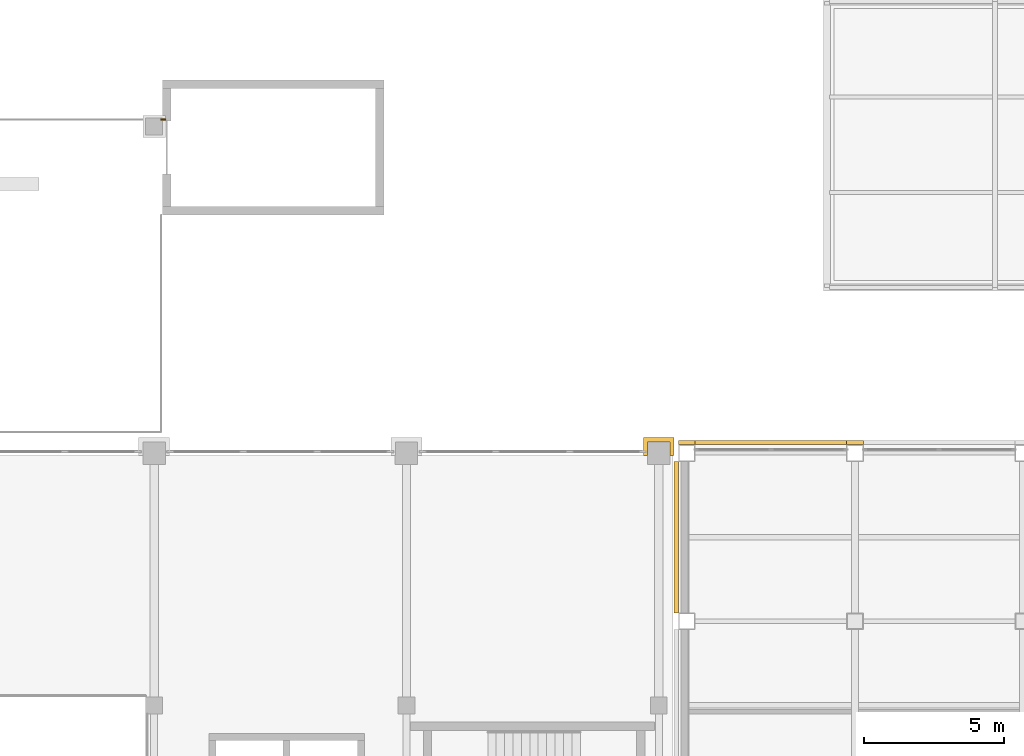
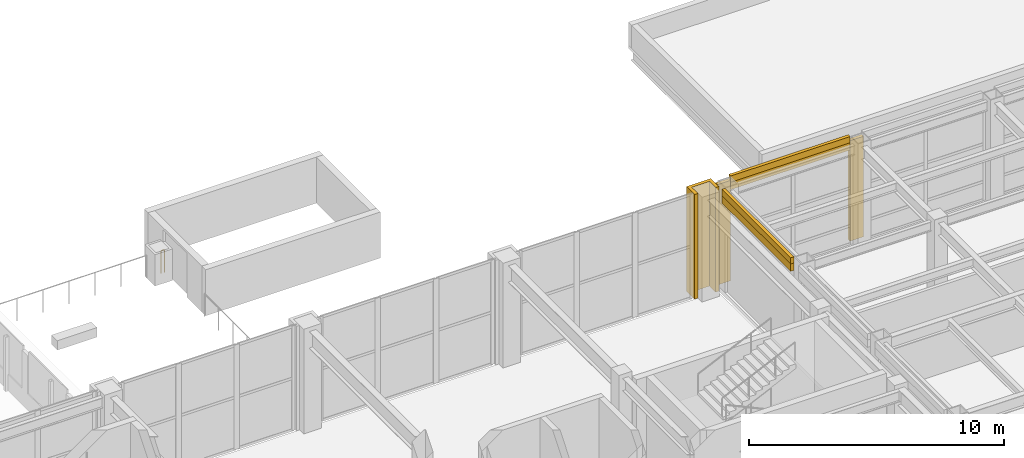
# One storey, part 65 of 67: 7 coverings, 1 railing.
"""IFC4 building model written with IfcOpenShell, lengths in metres."""

from ifc_helpers import new_model, si_unit, direction, frame, origin, origin_2d, place, context, subcontext, project, spatial, polyline, circle, outline, extrude, material, layer, layer_set, type_object, element, save


model = new_model("IFC4")

# Units and contexts
model_context = context("Model", 3, precision=1e-05, world=origin(), true_north=direction((0.0, 1.0)))
body_context = subcontext(model_context, "Body", "Model", "MODEL_VIEW")
ifc_project = project(units=[si_unit("LENGTHUNIT", "METRE"), si_unit("AREAUNIT", "SQUARE_METRE"), si_unit("VOLUMEUNIT", "CUBIC_METRE"), si_unit("PLANEANGLEUNIT", "RADIAN"), si_unit("MASSUNIT", "GRAM", prefix="KILO")], contexts=[model_context])

# Site, building, storey
site_placement = place(None, origin())
site = spatial("IfcSite", under=ifc_project, at=site_placement, CompositionType="ELEMENT")
building_placement = place(site_placement, origin())
building = spatial("IfcBuilding", under=site, at=building_placement, Name="Aravalli Gate Trade Fair Centre", CompositionType="ELEMENT")
storey_placement = place(building_placement, frame((0.0, 0.0, 5.0)))
storey = spatial("IfcBuildingStorey", under=building, at=storey_placement, Name="L01", CompositionType="ELEMENT", Elevation=5.0)

# Railing
ifc_material_1 = material(Name="Steel E350", Category="steel")
railing_type = type_object("IfcRailingType", Name="Arcade terrace guard 1100", PredefinedType="GUARDRAIL", material=ifc_material_1)
railing_placement = place(storey_placement, frame((141.39990234375, 144.89990234375, 0.0)))
element("IfcRailing", 1, at=railing_placement, inside=storey, type_object=railing_type, Name="Terrace guard NE", PredefinedType="GUARDRAIL", context=body_context, shape_type="SweptSolid", body=[
    extrude(circle(Radius=0.02392578125, at=origin_2d()), frame((0.0, 0.0, 1.076171875), z_axis=(-1.0, 0.0, 0.0), x_axis=(0.0, -1.0, 0.0)), (0.0, 0.0, 1.0), 0.14990234375),
    extrude(circle(Radius=0.02099609375, at=origin_2d()), origin(), (0.0, 0.0, 1.0), 1.052001953125),
    extrude(circle(Radius=0.02099609375, at=origin_2d()), frame((-0.14990234375, 0.0, 0.0)), (0.0, 0.0, 1.0), 1.052001953125),
])

# Coverings
ifc_material_2 = material(Name="Glazed terracotta", Category="masonry")
ifc_layer_1 = layer(ifc_material_2, 0.14990234375)
ifc_layer_set_1 = layer_set([ifc_layer_1], Name="Glazed terracotta")
covering_type_1 = type_object("IfcCoveringType", Name="Terracotta pier casing 150", PredefinedType="CLADDING", material=ifc_layer_set_1)
covering_1_placement = place(storey_placement, origin())
element("IfcCovering", 2, at=covering_1_placement, inside=storey, type_object=covering_type_1, Name="Pier casing KE L01", PredefinedType="CLADDING", context=body_context, shape_type="SweptSolid", body=[
    extrude(outline(polyline([(158.449951171875, 132.919921875), (158.60009765625, 132.919921875), (158.60009765625, 133.39990234375), (159.39990234375, 133.39990234375), (159.39990234375, 132.919921875), (159.550048828125, 132.919921875), (159.550048828125, 133.550048828125), (158.449951171875, 133.550048828125), (158.449951171875, 132.919921875)])), origin(), (0.0, 0.0, 1.0), 5.0),
])
ifc_material_3 = material(Name="Dholpur sandstone", Category="masonry")
ifc_layer_2 = layer(ifc_material_3, 0.14990234375)
ifc_layer_set_2 = layer_set([ifc_layer_2], Name="Dholpur sandstone")
covering_type_2 = type_object("IfcCoveringType", Name="Wing sandstone pier casing 150", PredefinedType="CLADDING", material=ifc_layer_set_2)
covering_2_placement = place(storey_placement, origin())
element("IfcCovering", 3, at=covering_2_placement, inside=storey, type_object=covering_type_2, Name="Pier casing 18K N L01", PredefinedType="CLADDING", context=body_context, shape_type="SweptSolid", body=[
    extrude(outline(polyline([(159.699951171875, 133.300048828125), (160.300048828125, 133.300048828125), (160.300048828125, 133.449951171875), (159.699951171875, 133.449951171875), (159.699951171875, 133.300048828125)])), origin(), (0.0, 0.0, 1.0), 4.800048828125),
])
covering_3_placement = place(storey_placement, origin())
element("IfcCovering", 4, at=covering_3_placement, inside=storey, type_object=covering_type_2, Name="Pier casing 19K N L01", PredefinedType="CLADDING", context=body_context, shape_type="SweptSolid", body=[
    extrude(outline(polyline([(165.699951171875, 133.300048828125), (166.300048828125, 133.300048828125), (166.300048828125, 133.449951171875), (165.699951171875, 133.449951171875), (165.699951171875, 133.300048828125)])), origin(), (0.0, 0.0, 1.0), 4.800048828125),
])
ifc_layer_3 = layer(ifc_material_2, 0.14501953125)
ifc_layer_set_3 = layer_set([ifc_layer_3], Name="Glazed terracotta")
covering_type_3 = type_object("IfcCoveringType", Name="Wing spandrel band 145", PredefinedType="CLADDING", material=ifc_layer_set_3)
covering_4_placement = place(storey_placement, frame((0.0, 0.0, 4.35009765625)))
element("IfcCovering", 5, at=covering_4_placement, inside=storey, type_object=covering_type_3, Name="Spandrel band N0 L01", PredefinedType="CLADDING", context=body_context, shape_type="SweptSolid", body=[
    extrude(outline(polyline([(160.300048828125, 133.304931640625), (165.699951171875, 133.304931640625), (165.699951171875, 133.449951171875), (160.300048828125, 133.449951171875), (160.300048828125, 133.304931640625)])), origin(), (0.0, 0.0, 1.0), 0.349853515625),
])
covering_5_placement = place(storey_placement, frame((0.0, 0.0, 4.35009765625)))
element("IfcCovering", 6, at=covering_5_placement, inside=storey, type_object=covering_type_3, Name="Spandrel band W6 L01", PredefinedType="CLADDING", context=body_context, shape_type="SweptSolid", body=[
    extrude(outline(polyline([(159.550048828125, 127.300048828125), (159.695068359375, 127.300048828125), (159.695068359375, 132.699951171875), (159.550048828125, 132.699951171875), (159.550048828125, 127.300048828125)])), origin(), (0.0, 0.0, 1.0), 0.349853515625),
])
ifc_layer_4 = layer(ifc_material_3, 0.14501953125)
ifc_layer_set_4 = layer_set([ifc_layer_4], Name="Dholpur sandstone")
covering_type_4 = type_object("IfcCoveringType", Name="Wing stone spandrel band 145", PredefinedType="CLADDING", material=ifc_layer_set_4)
covering_6_placement = place(storey_placement, frame((0.0, 0.0, 4.699951171875)))
element("IfcCovering", 7, at=covering_6_placement, inside=storey, type_object=covering_type_4, Name="Stone spandrel band N0 L01", PredefinedType="CLADDING", context=body_context, shape_type="SweptSolid", body=[
    extrude(outline(polyline([(160.300048828125, 133.304931640625), (165.699951171875, 133.304931640625), (165.699951171875, 133.449951171875), (160.300048828125, 133.449951171875), (160.300048828125, 133.304931640625)])), origin(), (0.0, 0.0, 1.0), 0.300048828125),
])
covering_7_placement = place(storey_placement, frame((0.0, 0.0, 4.699951171875)))
element("IfcCovering", 8, at=covering_7_placement, inside=storey, type_object=covering_type_4, Name="Stone spandrel band W6 L01", PredefinedType="CLADDING", context=body_context, shape_type="SweptSolid", body=[
    extrude(outline(polyline([(159.550048828125, 127.300048828125), (159.695068359375, 127.300048828125), (159.695068359375, 132.699951171875), (159.550048828125, 132.699951171875), (159.550048828125, 127.300048828125)])), origin(), (0.0, 0.0, 1.0), 0.300048828125),
])

save(model, "model.ifc")
